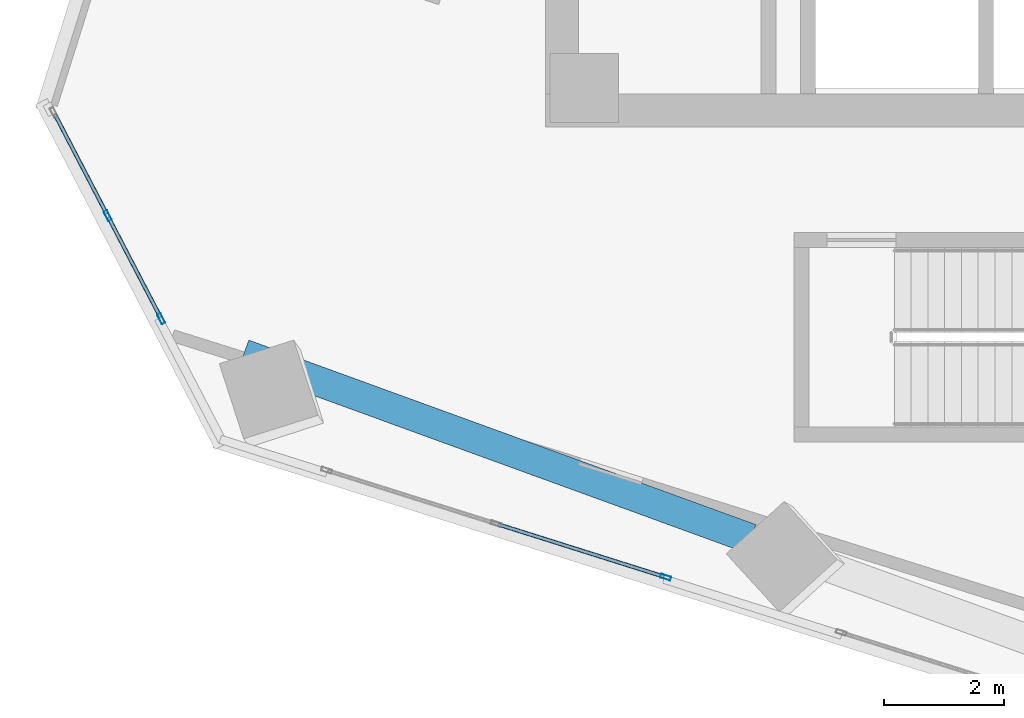
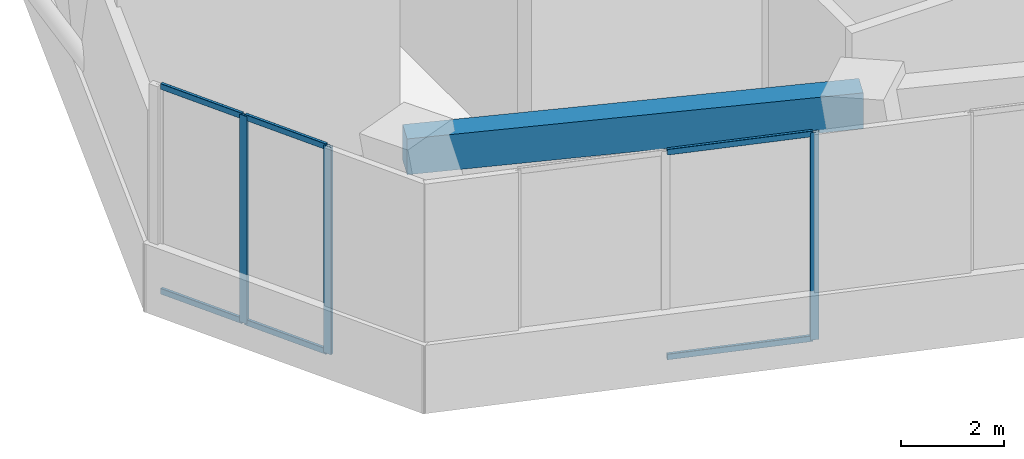
# One storey, part 3 of 29: 9 members, 1 beam, 2 elements without a shape of their own.
"""IFC4 building model written with IfcOpenShell, lengths in metres."""

import ifcopenshell
import ifcopenshell.guid

model = None  # the IFC model being written
_history = None  # IfcOwnerHistory: only IFC2X3 demands one
_inside = {}  # id of a spatial element -> (the spatial element, [elements in it])
_under = {}  # id of a project, library or spatial element -> (it, [spatial elements below it])
_declared = {}  # id of a project -> (the project, [libraries it declares])
_typed = {}  # id of a type object -> (the type object, [elements of that type])
_made_of = {}  # id of a material, layer set ... -> (it, [elements and type objects made of it])


def new_model(schema):
    """Start an empty IFC model of exactly this schema.

    Asked for "IFC4X3", IfcOpenShell would pick the latest addendum, in which some entities
    have other attributes; the version numbers below select the first issue.
    IFC2X3 requires an IfcOwnerHistory on every rooted entity: one is made here for all.
    """
    global model, _history
    if schema == "IFC4X3":
        model = ifcopenshell.file(schema_version=(4, 3, 0, 0))
    else:
        model = ifcopenshell.file(schema=schema)
    _inside.clear()
    _under.clear()
    _declared.clear()
    _typed.clear()
    _made_of.clear()
    _history = None
    if model.schema == "IFC2X3":
        org = make("IfcOrganization", Name="unknown")
        user = make(
            "IfcPersonAndOrganization",
            ThePerson=make("IfcPerson", FamilyName="unknown"),
            TheOrganization=org,
        )
        app = make(
            "IfcApplication",
            ApplicationDeveloper=org,
            Version="unknown",
            ApplicationFullName="unknown",
            ApplicationIdentifier="unknown",
        )
        _history = make(
            "IfcOwnerHistory",
            OwningUser=user,
            OwningApplication=app,
            ChangeAction="ADDED",
            CreationDate=0,
        )
    return model


def make(cls, **values):
    """One entity of the class cls with the attributes given. An attribute that is None is left unset."""
    return model.create_entity(
        cls, **{name: value for name, value in values.items() if value is not None}
    )


def rooted(cls, **values):
    """An entity with a GlobalId (a new one), such as an element, a storey or a relation."""
    return make(cls, GlobalId=ifcopenshell.guid.new(), OwnerHistory=_history, **values)


def si_unit(unit_type, name, prefix=None):
    """IfcSIUnit, for example si_unit("LENGTHUNIT", "METRE", prefix="MILLI")."""
    return make("IfcSIUnit", UnitType=unit_type, Prefix=prefix, Name=name)


def assignment(units):
    """IfcUnitAssignment: the units of a project."""
    return None if units is None else make("IfcUnitAssignment", Units=units)


def point(xyz):
    """IfcCartesianPoint."""
    return None if xyz is None else make("IfcCartesianPoint", Coordinates=xyz)


def direction(xyz):
    """IfcDirection."""
    return None if xyz is None else make("IfcDirection", DirectionRatios=xyz)


def frame(location, z_axis=None, x_axis=None):
    """IfcAxis2Placement3D, a coordinate frame: its origin and axes. An axis left out is left unset."""
    return make(
        "IfcAxis2Placement3D",
        Location=point(location),
        Axis=direction(z_axis),
        RefDirection=direction(x_axis),
    )


def frame_2d(location, x_axis=None):
    """IfcAxis2Placement2D, a coordinate frame in the plane: its origin and x axis."""
    return make(
        "IfcAxis2Placement2D", Location=point(location), RefDirection=direction(x_axis)
    )


def origin():
    """The frame at (0, 0, 0) with its axes left unset."""
    return frame((0.0, 0.0, 0.0))


def origin_2d():
    """The frame at (0, 0) in the plane with its x axis left unset."""
    return frame_2d((0.0, 0.0))


def place(relative_to, where):
    """IfcLocalPlacement: puts the frame where relative to a parent placement (None: the world)."""
    return make(
        "IfcLocalPlacement", PlacementRelTo=relative_to, RelativePlacement=where
    )


def context(
    kind, dimensions, precision=None, world=None, true_north=None, identifier=None
):
    """IfcGeometricRepresentationContext, for example the 3D "Model" context."""
    return make(
        "IfcGeometricRepresentationContext",
        ContextIdentifier=identifier,
        ContextType=kind,
        CoordinateSpaceDimension=dimensions,
        Precision=precision,
        WorldCoordinateSystem=world,
        TrueNorth=true_north,
    )


def subcontext(parent, identifier, kind, view, scale=None):
    """IfcGeometricRepresentationSubContext, for example "Body" below "Model"."""
    return make(
        "IfcGeometricRepresentationSubContext",
        ContextIdentifier=identifier,
        ContextType=kind,
        ParentContext=parent,
        TargetScale=scale,
        TargetView=view,
    )


def project(units=None, contexts=None):
    """IfcProject with its units and contexts."""
    return rooted(
        "IfcProject",
        Name="project",
        RepresentationContexts=contexts,
        UnitsInContext=assignment(units),
    )


def spatial(cls, under=None, at=None, **own):
    """A site, building, storey or space (cls), placed at a placement, below another one or the project."""
    s = rooted(cls, ObjectPlacement=at, **own)
    if under is not None:
        _under.setdefault(under.id(), (under, []))[1].append(s)
    return s


def profile(cls, at=None, kind="AREA", **sizes):
    """A parametric profile (cls). Its sizes go by their IFC names, for example OverallWidth=200.0."""
    return make(cls, ProfileType=kind, Position=at, **sizes)


def rectangle(**sizes):
    """IfcRectangleProfileDef."""
    return profile("IfcRectangleProfileDef", **sizes)


def hollow_rectangle(**sizes):
    """IfcRectangleHollowProfileDef."""
    return profile("IfcRectangleHollowProfileDef", **sizes)


def extrude(swept, where, along, depth):
    """IfcExtrudedAreaSolid: the profile swept, set in the frame where, extruded along a direction by depth."""
    return make(
        "IfcExtrudedAreaSolid",
        SweptArea=swept,
        Position=where,
        ExtrudedDirection=direction(along),
        Depth=depth,
    )


def shape(context_of_items, identifier, shape_type, items):
    """IfcShapeRepresentation: the items that make up one representation, for example the "Body"."""
    return make(
        "IfcShapeRepresentation",
        ContextOfItems=context_of_items,
        RepresentationIdentifier=identifier,
        RepresentationType=shape_type,
        Items=items,
    )


def source(mapping_origin, context_of_items, identifier, shape_type, items):
    """IfcRepresentationMap: a shape defined once, which mapped items show again and again."""
    return make(
        "IfcRepresentationMap",
        MappingOrigin=mapping_origin,
        MappedRepresentation=shape(context_of_items, identifier, shape_type, items),
    )


def transform(
    local_origin,
    x_axis=None,
    y_axis=None,
    z_axis=None,
    scale=None,
    scale2=None,
    scale3=None,
    uniform=True,
):
    """IfcCartesianTransformationOperator3D, or its non-uniform kind. x_axis, y_axis, z_axis: its Axis1, 2, 3."""
    if uniform:
        return make(
            "IfcCartesianTransformationOperator3D",
            Axis1=direction(x_axis),
            Axis2=direction(y_axis),
            LocalOrigin=point(local_origin),
            Scale=scale,
            Axis3=direction(z_axis),
        )
    return make(
        "IfcCartesianTransformationOperator3DnonUniform",
        Axis1=direction(x_axis),
        Axis2=direction(y_axis),
        LocalOrigin=point(local_origin),
        Scale=scale,
        Axis3=direction(z_axis),
        Scale2=scale2,
        Scale3=scale3,
    )


def mapped(mapping_source, mapping_target):
    """IfcMappedItem: shows the shape of a source again, moved by a transform."""
    return make(
        "IfcMappedItem", MappingSource=mapping_source, MappingTarget=mapping_target
    )


def material(Name=None, Category=None):
    """IfcMaterial."""
    return make("IfcMaterial", Name=Name, Category=Category)


def material_profile(
    of_material, cross_section, Name=None, Category=None, Priority=None
):
    """IfcMaterialProfile: a cross section and its material."""
    return make(
        "IfcMaterialProfile",
        Name=Name,
        Material=of_material,
        Profile=cross_section,
        Priority=Priority,
        Category=Category,
    )


def profile_set(profiles, Name=None, composite=None):
    """IfcMaterialProfileSet."""
    return make(
        "IfcMaterialProfileSet",
        Name=Name,
        MaterialProfiles=profiles,
        CompositeProfile=composite,
    )


def made_of(thing, what):
    """Note that an element or type object is made of a material, layer set ...; save() writes the relation."""
    if what is not None:
        _made_of.setdefault(what.id(), (what, []))[1].append(thing)
    return thing


def type_object(cls, material=None, **own):
    """A type object (cls), such as IfcWallType, which elements share."""
    return made_of(rooted(cls, **own), material)


def element(
    cls,
    number,
    at=None,
    inside=None,
    cuts=None,
    type_object=None,
    material=None,
    context=None,
    identifier="Body",
    shape_type=None,
    held_by="IfcProductDefinitionShape",
    body=None,
    shapes=None,
    **own,
):
    """One element of the class cls, such as IfcWall. Its Tag is "e" and its number.

    at: its placement. inside: the storey or other place that contains it. cuts: it is an
    opening in that element (IfcRelVoidsElement). A single representation is given by context,
    identifier, shape_type and body (its items); several are given by shapes. held_by: the class
    of the entity that holds the representations. save() writes the other relations.
    """
    e = rooted(cls, Tag="e%d" % number, ObjectPlacement=at, **own)
    if body is not None:
        shapes = [shape(context, identifier, shape_type, body)]
    if shapes is not None:
        e.Representation = make(held_by, Representations=shapes)
    if inside is not None:
        _inside.setdefault(inside.id(), (inside, []))[1].append(e)
    if cuts is not None:
        rooted(
            "IfcRelVoidsElement", RelatingBuildingElement=cuts, RelatedOpeningElement=e
        )
    if type_object is not None:
        _typed.setdefault(type_object.id(), (type_object, []))[1].append(e)
    return made_of(e, material)


def aggregate(whole, parts):
    """IfcRelAggregates: a whole, such as a stair, and the parts it consists of."""
    return rooted("IfcRelAggregates", RelatingObject=whole, RelatedObjects=parts)


def save(model, path):
    """Write the relations noted so far, then the file.

    IfcRelAggregates (storeys below a building ...), IfcRelContainedInSpatialStructure (elements
    in a storey), IfcRelDefinesByType, IfcRelAssociatesMaterial and IfcRelDeclares: one each for
    every whole, place, type object, material and project.
    """
    for whole, parts in _under.values():
        aggregate(whole, parts)
    for where, things in _inside.values():
        rooted(
            "IfcRelContainedInSpatialStructure",
            RelatedElements=things,
            RelatingStructure=where,
        )
    for kind, things in _typed.values():
        rooted("IfcRelDefinesByType", RelatedObjects=things, RelatingType=kind)
    for what, things in _made_of.values():
        rooted("IfcRelAssociatesMaterial", RelatedObjects=things, RelatingMaterial=what)
    for by, libraries in _declared.values():
        rooted("IfcRelDeclares", RelatingContext=by, RelatedDefinitions=libraries)
    model.write(path)


model = new_model("IFC4")

# Units and contexts
model_context = context("Model", 3, precision=1e-05, world=origin(), true_north=direction((0.0, 1.0)))
body_context = subcontext(model_context, "Body", "Model", "MODEL_VIEW")
ifc_project = project(units=[si_unit("LENGTHUNIT", "METRE"), si_unit("AREAUNIT", "SQUARE_METRE"), si_unit("VOLUMEUNIT", "CUBIC_METRE"), si_unit("PLANEANGLEUNIT", "RADIAN"), si_unit("MASSUNIT", "GRAM", prefix="KILO")], contexts=[model_context])

# Site, building, storey
site_placement = place(None, origin())
site = spatial("IfcSite", under=ifc_project, at=site_placement, CompositionType="ELEMENT")
building_placement = place(site_placement, origin())
building = spatial("IfcBuilding", under=site, at=building_placement, Name="Torre Montelarca", CompositionType="ELEMENT")
storey_placement = place(building_placement, frame((0.0, 0.0, 122.199951171875)))
storey = spatial("IfcBuildingStorey", under=building, at=storey_placement, Name="L27", CompositionType="ELEMENT", Elevation=122.199951171875)

# Beam
ifc_material_1 = material(Name="Concrete C55/67", Category="concrete")
ifc_material_profile_1 = material_profile(ifc_material_1, rectangle(XDim=0.5, YDim=0.85009765625, at=origin_2d()), Name="RCB500X850", Category="concrete")
ifc_profile_set_1 = profile_set([ifc_material_profile_1], Name="Concrete C55/67")
beam_type = type_object("IfcBeamType", Name="BM-SP-RC850-EXT", PredefinedType="SPANDREL", material=ifc_profile_set_1)
shared_shape_1 = source(origin(), body_context, "Body", "SweptSolid", [
    extrude(rectangle(XDim=0.5, YDim=0.85009765625, at=origin_2d()), origin(), (0.0, 0.0, 1.0), 9.0),
])
beam_placement = place(storey_placement, frame((3.87109375, 20.112548828125, 4.695068359375), z_axis=(0.939695174234, -0.342013127703, 0.0), x_axis=(0.342013127703, 0.939695174234, 0.0)))
element("IfcBeam", 1, at=beam_placement, inside=storey, type_object=beam_type, Name="L27 Grid Girder X 9.0-18.0 at Y=14.8", PredefinedType="SPANDREL", context=body_context, shape_type="MappedRepresentation", body=[
    mapped(shared_shape_1, transform((0.0, 0.0, 0.0), scale=1.0)),
])

# Curtain wall, member
ifc_material_2 = material(Name="Insulated low-E laminated glass", Category="glass")
curtain_wall_type = type_object("IfcCurtainWallType", Name="CW-SYS-Z1", PredefinedType="USERDEFINED", material=ifc_material_2)
curtain_wall_1_placement = place(storey_placement, origin())
curtain_wall_1 = element("IfcCurtainWall", 2, at=curtain_wall_1_placement, inside=storey, type_object=curtain_wall_type, Name="L27 Curtain Wall Run CW-T3-L27-E01-B1", ObjectType="UNITISED GLAZING", PredefinedType="USERDEFINED")
ifc_material_3 = material(Name="Anodised aluminium AA 6063-T6", Category="aluminium")
ifc_material_profile_2 = material_profile(ifc_material_3, hollow_rectangle(XDim=0.06494140625, YDim=0.179931640625, WallThickness=0.00390625, InnerFilletRadius=0.00390625, OuterFilletRadius=0.008056640625, at=origin_2d()), Name="ALU65X180X4", Category="aluminium")
ifc_profile_set_2 = profile_set([ifc_material_profile_2], Name="Anodised aluminium AA 6063-T6")
member_type_1 = type_object("IfcMemberType", Name="CWM-ALU180", PredefinedType="MULLION", material=ifc_profile_set_2)
shared_shape_2 = source(origin(), body_context, "Body", "SweptSolid", [
    extrude(hollow_rectangle(XDim=0.06494140625, YDim=0.179931640625, WallThickness=0.00390625, InnerFilletRadius=0.00390625, OuterFilletRadius=0.008056640625, at=origin_2d()), origin(), (0.0, 0.0, 1.0), 4.920166015625),
])
member_1_placement = place(storey_placement, frame((10.9072265625, 16.39306640625, 0.0), z_axis=(0.0, 0.0, 1.0), x_axis=(0.300697711961, 0.953719500703, 0.0)))
member_1 = element("IfcMember", 3, at=member_1_placement, type_object=member_type_1, Name="CW mullion 3", PredefinedType="MULLION", context=body_context, shape_type="MappedRepresentation", body=[
    mapped(shared_shape_2, transform((0.0, 0.0, 0.0), scale=1.0)),
])

# Curtain wall, members
curtain_wall_2_placement = place(storey_placement, origin())
curtain_wall_2 = element("IfcCurtainWall", 4, at=curtain_wall_2_placement, inside=storey, type_object=curtain_wall_type, Name="L27 Curtain Wall Run CW-T3-L27-E11-B1", ObjectType="UNITISED GLAZING", PredefinedType="USERDEFINED")
member_2_placement = place(storey_placement, frame((1.600341796875, 22.423583984375, 0.0), z_axis=(0.0, 0.0, 1.0), x_axis=(0.88701834412, 0.461734184563, 0.0)))
member_2 = element("IfcMember", 5, at=member_2_placement, type_object=member_type_1, Name="CW mullion 2", PredefinedType="MULLION", context=body_context, shape_type="MappedRepresentation", body=[
    mapped(shared_shape_2, transform((0.0, 0.0, 0.0), scale=1.0)),
])
member_3_placement = place(storey_placement, frame((2.494140625, 20.706298828125, 0.0), z_axis=(0.0, 0.0, 1.0), x_axis=(0.88701834412, 0.461734184563, 0.0)))
member_3 = element("IfcMember", 6, at=member_3_placement, type_object=member_type_1, Name="CW mullion 3", PredefinedType="MULLION", context=body_context, shape_type="MappedRepresentation", body=[
    mapped(shared_shape_2, transform((0.0, 0.0, 0.0), scale=1.0)),
])

# Member
ifc_material_profile_3 = material_profile(ifc_material_3, hollow_rectangle(XDim=0.06494140625, YDim=0.139892578125, WallThickness=0.00390625, InnerFilletRadius=0.00390625, OuterFilletRadius=0.008056640625, at=origin_2d()), Name="ALU65X140X4", Category="aluminium")
ifc_profile_set_3 = profile_set([ifc_material_profile_3], Name="Anodised aluminium AA 6063-T6")
member_type_2 = type_object("IfcMemberType", Name="CWT-ALU140", PredefinedType="USERDEFINED", material=ifc_profile_set_3)
shared_shape_3 = source(origin(), body_context, "Body", "SweptSolid", [
    extrude(hollow_rectangle(XDim=0.06494140625, YDim=0.139892578125, WallThickness=0.00390625, InnerFilletRadius=0.00390625, OuterFilletRadius=0.008056640625, at=origin_2d()), origin(), (0.0, 0.0, 1.0), 2.899169921875),
])
member_4_placement = place(storey_placement, frame((8.111328125, 17.274658203125, 0.032470703125), z_axis=(0.953711124898, -0.300724276116, 0.0), x_axis=(0.300724276116, 0.953711124898, 0.0)))
member_4 = element("IfcMember", 7, at=member_4_placement, type_object=member_type_2, Name="CW transom 2.1", ObjectType="TRANSOM", PredefinedType="USERDEFINED", context=body_context, shape_type="MappedRepresentation", body=[
    mapped(shared_shape_3, transform((0.0, 0.0, 0.0), scale=1.0)),
])

member_5_placement = place(storey_placement, frame((8.111328125, 17.274658203125, 4.887451171875), z_axis=(0.953711124898, -0.300724276116, 0.0), x_axis=(0.300724276116, 0.953711124898, 0.0)))
member_5 = element("IfcMember", 8, at=member_5_placement, type_object=member_type_2, Name="CW transom 2.2", ObjectType="TRANSOM", PredefinedType="USERDEFINED", context=body_context, shape_type="MappedRepresentation", body=[
    mapped(shared_shape_3, transform((0.0, 0.0, 0.0), scale=1.0)),
])

aggregate(curtain_wall_1, [member_1, member_4, member_5])

shared_shape_4 = source(origin(), body_context, "Body", "SweptSolid", [
    extrude(hollow_rectangle(XDim=0.06494140625, YDim=0.139892578125, WallThickness=0.00390625, InnerFilletRadius=0.00390625, OuterFilletRadius=0.008056640625, at=origin_2d()), origin(), (0.0, 0.0, 1.0), 1.87109375),
])
member_6_placement = place(storey_placement, frame((0.721435546875, 24.112060546875, 0.032470703125), z_axis=(0.461664957878, -0.887054376387, 0.0), x_axis=(0.887054376387, 0.461664957878, 0.0)))
member_6 = element("IfcMember", 9, at=member_6_placement, type_object=member_type_2, Name="CW transom 1.1", ObjectType="TRANSOM", PredefinedType="USERDEFINED", context=body_context, shape_type="MappedRepresentation", body=[
    mapped(shared_shape_4, transform((0.0, 0.0, 0.0), scale=1.0)),
])

member_7_placement = place(storey_placement, frame((0.721435546875, 24.112060546875, 4.887451171875), z_axis=(0.461664957878, -0.887054376387, 0.0), x_axis=(0.887054376387, 0.461664957878, 0.0)))
member_7 = element("IfcMember", 10, at=member_7_placement, type_object=member_type_2, Name="CW transom 1.2", ObjectType="TRANSOM", PredefinedType="USERDEFINED", context=body_context, shape_type="MappedRepresentation", body=[
    mapped(shared_shape_4, transform((0.0, 0.0, 0.0), scale=1.0)),
])

member_8_placement = place(storey_placement, frame((1.615234375, 22.394775390625, 0.032470703125), z_axis=(0.461767624749, -0.887000936152, 0.0), x_axis=(0.887000936152, 0.461767624749, 0.0)))
member_8 = element("IfcMember", 11, at=member_8_placement, type_object=member_type_2, Name="CW transom 2.1", ObjectType="TRANSOM", PredefinedType="USERDEFINED", context=body_context, shape_type="MappedRepresentation", body=[
    mapped(shared_shape_4, transform((0.0, 0.0, 0.0), scale=1.0)),
])

member_9_placement = place(storey_placement, frame((1.615234375, 22.394775390625, 4.887451171875), z_axis=(0.461767624749, -0.887000936152, 0.0), x_axis=(0.887000936152, 0.461767624749, 0.0)))
member_9 = element("IfcMember", 12, at=member_9_placement, type_object=member_type_2, Name="CW transom 2.2", ObjectType="TRANSOM", PredefinedType="USERDEFINED", context=body_context, shape_type="MappedRepresentation", body=[
    mapped(shared_shape_4, transform((0.0, 0.0, 0.0), scale=1.0)),
])

aggregate(curtain_wall_2, [member_2, member_3, member_6, member_7, member_8, member_9])

save(model, "model.ifc")
